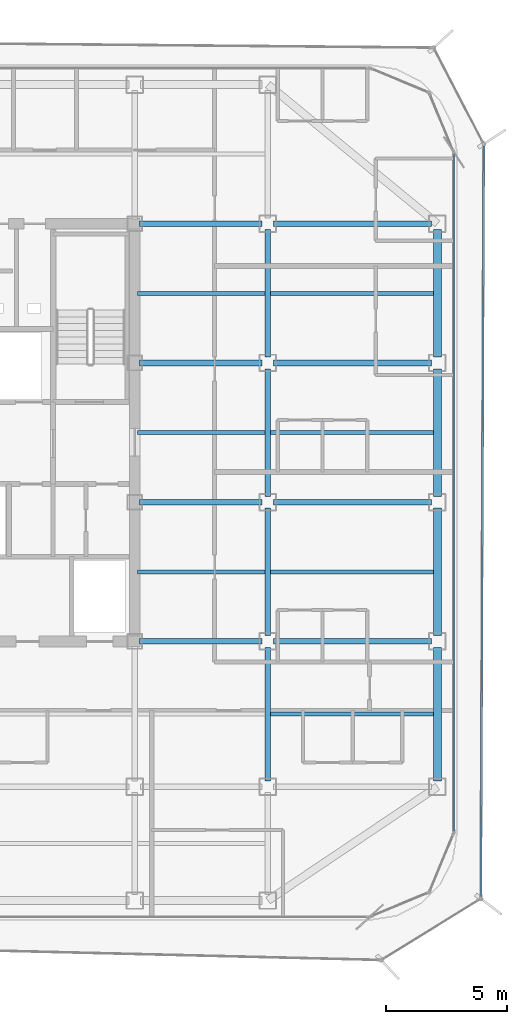
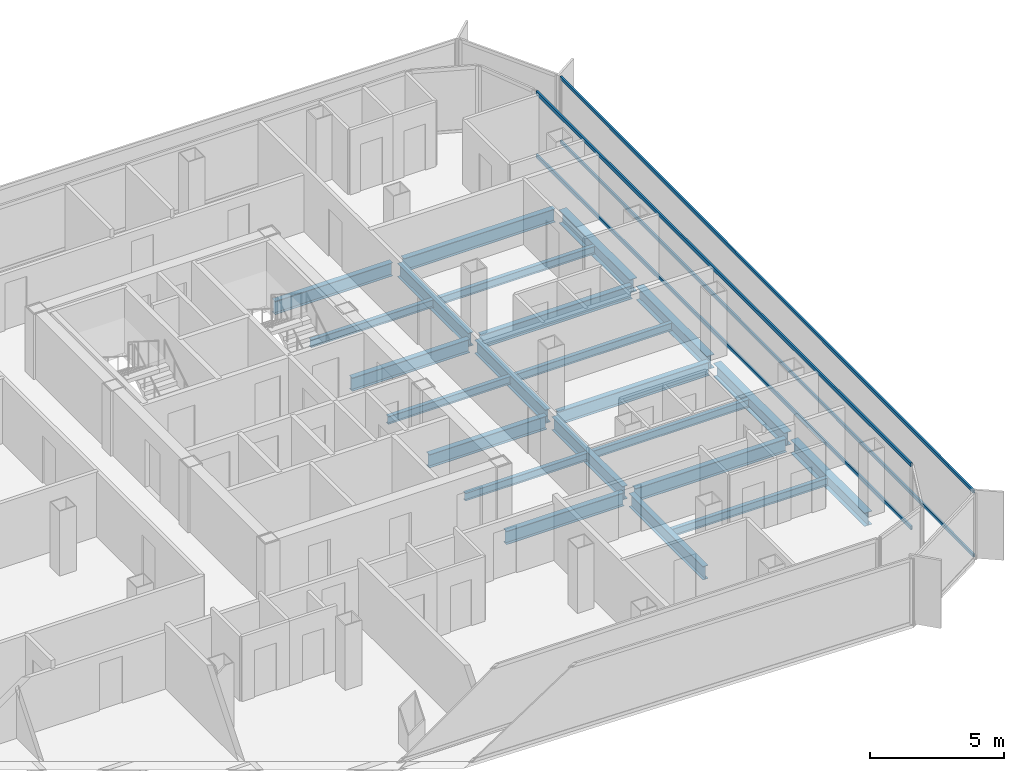
# One storey, part 5 of 15: 23 beams, 4 members, 2 elements without a shape of their own.
"""IFC4 building model written with IfcOpenShell, lengths in metres."""

from ifc_helpers import new_model, si_unit, direction, frame, origin, origin_2d, place, context, subcontext, project, spatial, hollow_rectangle, i_section, extrude, source, transform, mapped, material, layer, layer_set, material_profile, profile_set, type_object, element, aggregate, save


model = new_model("IFC4")

# Units and contexts
model_context = context("Model", 3, precision=1e-05, world=origin(), true_north=direction((0.0, 1.0)))
body_context = subcontext(model_context, "Body", "Model", "MODEL_VIEW")
ifc_project = project(units=[si_unit("LENGTHUNIT", "METRE"), si_unit("AREAUNIT", "SQUARE_METRE"), si_unit("VOLUMEUNIT", "CUBIC_METRE"), si_unit("PLANEANGLEUNIT", "RADIAN"), si_unit("MASSUNIT", "GRAM", prefix="KILO")], contexts=[model_context])

# Site, building, storey
site_placement = place(None, origin())
site = spatial("IfcSite", under=ifc_project, at=site_placement, CompositionType="ELEMENT")
building_placement = place(site_placement, origin())
building = spatial("IfcBuilding", under=site, at=building_placement, Name="Kolveth Station Tower", CompositionType="ELEMENT")
storey_placement = place(building_placement, frame((0.0, 0.0, 165.699951171875)))
storey = spatial("IfcBuildingStorey", under=building, at=storey_placement, Name="L46", CompositionType="ELEMENT", Elevation=165.699951171875)

# Beams
ifc_material_1 = material(Name="Steel S355", Category="steel")
ifc_material_profile_1 = material_profile(ifc_material_1, i_section(OverallWidth=0.323974609375, OverallDepth=0.611083984375, WebThickness=0.0126953125, FlangeThickness=0.01904296875, at=origin_2d()), Name="W610x155")
ifc_profile_set_1 = profile_set([ifc_material_profile_1], Name="Steel S355")
beam_type_1 = type_object("IfcBeamType", Name="Beam_SP2", PredefinedType="SPANDREL", material=ifc_profile_set_1)
shared_shape_1 = source(origin(), body_context, "Body", "SweptSolid", [
    extrude(i_section(OverallWidth=0.323974609375, OverallDepth=0.611083984375, WebThickness=0.0126953125, FlangeThickness=0.01904296875, at=origin_2d()), origin(), (0.0, 0.0, 1.0), 5.52001953125),
])
beam_1_placement = place(storey_placement, frame((41.0, 5.739990234375, -0.555419921875), z_axis=(0.0, 1.0, 0.0), x_axis=(-1.0, 0.0, 0.0)))
element("IfcBeam", 1, at=beam_1_placement, inside=storey, type_object=beam_type_1, Name="L46 Perimeter Spandrel BM-L46-PE-1", PredefinedType="SPANDREL", context=body_context, shape_type="MappedRepresentation", body=[
    mapped(shared_shape_1, transform((0.0, 0.0, 0.0), x_axis=(1.0, 0.0, 0.0), y_axis=(0.0, 1.0, 0.0), z_axis=(0.0, 0.0, 1.0), scale=1.0)),
])
shared_shape_2 = source(origin(), body_context, "Body", "SweptSolid", [
    extrude(i_section(OverallWidth=0.323974609375, OverallDepth=0.611083984375, WebThickness=0.0126953125, FlangeThickness=0.01904296875, at=origin_2d()), origin(), (0.0, 0.0, 1.0), 5.27001953125),
])
for number, where, z_axis, x_axis, name in (
    (2, (41.0, 11.739990234375, -0.555419921875), (0.0, 1.0, 0.0), (-1.0, 0.0, 0.0), "L46 Perimeter Spandrel BM-L46-PE-2"),
    (3, (41.0, 17.489990234375, -0.555419921875), (0.0, 1.0, 0.0), (-1.0, 0.0, 0.0), "L46 Perimeter Spandrel BM-L46-PE-3"),
    (4, (41.0, 23.239990234375, -0.555419921875), (0.0, 1.0, 0.0), (-1.0, 0.0, 0.0), "L46 Perimeter Spandrel BM-L46-PE-4"),
):
    element("IfcBeam", number, at=place(storey_placement, frame(where, z_axis=z_axis, x_axis=x_axis)), inside=storey, type_object=beam_type_1, Name=name, PredefinedType="SPANDREL", context=body_context, shape_type="MappedRepresentation", body=[
        mapped(shared_shape_2, transform((0.0, 0.0, 0.0), x_axis=(1.0, 0.0, 0.0), y_axis=(0.0, 1.0, 0.0), z_axis=(0.0, 0.0, 1.0), scale=1.0)),
    ])
ifc_material_profile_2 = material_profile(ifc_material_1, i_section(OverallWidth=0.22900390625, OverallDepth=0.612060546875, WebThickness=0.011962890625, FlangeThickness=0.01953125, at=origin_2d()), Name="W610x125")
ifc_profile_set_2 = profile_set([ifc_material_profile_2], Name="Steel S355")
beam_type_2 = type_object("IfcBeamType", Name="Beam_B5", PredefinedType="BEAM", material=ifc_profile_set_2)
shared_shape_3 = source(origin(), body_context, "Body", "SweptSolid", [
    extrude(i_section(OverallWidth=0.22900390625, OverallDepth=0.612060546875, WebThickness=0.011962890625, FlangeThickness=0.01953125, at=origin_2d()), origin(), (0.0, 0.0, 1.0), 6.52001953125),
])
for number, where, z_axis, x_axis, name in (
    (5, (34.239990234375, 11.5, -0.555908203125), (1.0, 0.0, 0.0), (0.0, 1.0, 0.0), "L46 Primary Girder BM-L46-GY115-6"),
    (6, (34.239990234375, 17.25, -0.555908203125), (1.0, 0.0, 0.0), (0.0, 1.0, 0.0), "L46 Primary Girder BM-L46-GY172-6"),
    (7, (34.239990234375, 23.0, -0.555908203125), (1.0, 0.0, 0.0), (0.0, 1.0, 0.0), "L46 Primary Girder BM-L46-GY230-6"),
    (8, (34.239990234375, 28.75, -0.555908203125), (1.0, 0.0, 0.0), (0.0, 1.0, 0.0), "L46 Primary Girder BM-L46-GY287-6"),
):
    element("IfcBeam", number, at=place(storey_placement, frame(where, z_axis=z_axis, x_axis=x_axis)), inside=storey, type_object=beam_type_2, Name=name, PredefinedType="BEAM", context=body_context, shape_type="MappedRepresentation", body=[
        mapped(shared_shape_3, transform((0.0, 0.0, 0.0), x_axis=(1.0, 0.0, 0.0), y_axis=(0.0, 1.0, 0.0), z_axis=(0.0, 0.0, 1.0), scale=1.0)),
    ])
shared_shape_4 = source(origin(), body_context, "Body", "SweptSolid", [
    extrude(i_section(OverallWidth=0.22900390625, OverallDepth=0.612060546875, WebThickness=0.011962890625, FlangeThickness=0.01953125, at=origin_2d()), origin(), (0.0, 0.0, 1.0), 5.06005859375),
])
for number, where, z_axis, x_axis, name in (
    (9, (28.699951171875, 11.5, -0.555908203125), (1.0, 0.0, 0.0), (0.0, 1.0, 0.0), "L46 Primary Girder BM-L46-GY115-5"),
    (10, (28.699951171875, 17.25, -0.555908203125), (1.0, 0.0, 0.0), (0.0, 1.0, 0.0), "L46 Primary Girder BM-L46-GY172-5"),
    (11, (28.699951171875, 23.0, -0.555908203125), (1.0, 0.0, 0.0), (0.0, 1.0, 0.0), "L46 Primary Girder BM-L46-GY230-5"),
    (12, (28.699951171875, 28.75, -0.555908203125), (1.0, 0.0, 0.0), (0.0, 1.0, 0.0), "L46 Primary Girder BM-L46-GY287-5"),
):
    element("IfcBeam", number, at=place(storey_placement, frame(where, z_axis=z_axis, x_axis=x_axis)), inside=storey, type_object=beam_type_2, Name=name, PredefinedType="BEAM", context=body_context, shape_type="MappedRepresentation", body=[
        mapped(shared_shape_4, transform((0.0, 0.0, 0.0), x_axis=(1.0, 0.0, 0.0), y_axis=(0.0, 1.0, 0.0), z_axis=(0.0, 0.0, 1.0), scale=1.0)),
    ])
shared_shape_5 = source(origin(), body_context, "Body", "SweptSolid", [
    extrude(i_section(OverallWidth=0.22900390625, OverallDepth=0.612060546875, WebThickness=0.011962890625, FlangeThickness=0.01953125, at=origin_2d()), origin(), (0.0, 0.0, 1.0), 5.52001953125),
])
beam_2_placement = place(storey_placement, frame((34.0, 5.739990234375, -0.555908203125), z_axis=(0.0, 1.0, 0.0), x_axis=(-1.0, 0.0, 0.0)))
element("IfcBeam", 13, at=beam_2_placement, inside=storey, type_object=beam_type_2, Name="L46 Primary Girder BM-L46-GX340-2", PredefinedType="BEAM", context=body_context, shape_type="MappedRepresentation", body=[
    mapped(shared_shape_5, transform((0.0, 0.0, 0.0), x_axis=(1.0, 0.0, 0.0), y_axis=(0.0, 1.0, 0.0), z_axis=(0.0, 0.0, 1.0), scale=1.0)),
])
shared_shape_6 = source(origin(), body_context, "Body", "SweptSolid", [
    extrude(i_section(OverallWidth=0.22900390625, OverallDepth=0.612060546875, WebThickness=0.011962890625, FlangeThickness=0.01953125, at=origin_2d()), origin(), (0.0, 0.0, 1.0), 5.27001953125),
])
for number, where, z_axis, x_axis, name in (
    (14, (34.0, 11.739990234375, -0.555908203125), (0.0, 1.0, 0.0), (-1.0, 0.0, 0.0), "L46 Primary Girder BM-L46-GX340-3"),
    (15, (34.0, 17.489990234375, -0.555908203125), (0.0, 1.0, 0.0), (-1.0, 0.0, 0.0), "L46 Primary Girder BM-L46-GX340-4"),
    (16, (34.0, 23.239990234375, -0.555908203125), (0.0, 1.0, 0.0), (-1.0, 0.0, 0.0), "L46 Primary Girder BM-L46-GX340-5"),
):
    element("IfcBeam", number, at=place(storey_placement, frame(where, z_axis=z_axis, x_axis=x_axis)), inside=storey, type_object=beam_type_2, Name=name, PredefinedType="BEAM", context=body_context, shape_type="MappedRepresentation", body=[
        mapped(shared_shape_6, transform((0.0, 0.0, 0.0), x_axis=(1.0, 0.0, 0.0), y_axis=(0.0, 1.0, 0.0), z_axis=(0.0, 0.0, 1.0), scale=1.0)),
    ])
ifc_material_profile_3 = material_profile(ifc_material_1, i_section(OverallWidth=0.1708984375, OverallDepth=0.35205078125, WebThickness=0.0068359375, FlangeThickness=0.009765625, at=origin_2d()), Name="W360x44")
ifc_profile_set_3 = profile_set([ifc_material_profile_3], Name="Steel S355")
beam_type_3 = type_object("IfcBeamType", Name="Beam_J2", PredefinedType="JOIST", material=ifc_profile_set_3)
shared_shape_7 = source(origin(), body_context, "Body", "SweptSolid", [
    extrude(i_section(OverallWidth=0.1708984375, OverallDepth=0.35205078125, WebThickness=0.0068359375, FlangeThickness=0.009765625, at=origin_2d()), origin(), (0.0, 0.0, 1.0), 5.27490234375),
])
for number, where, z_axis, x_axis, name in (
    (17, (28.612548828125, 14.375, -0.426025390625), (1.0, 0.0, 0.0), (0.0, 1.0, 0.0), "L46 Secondary Joist JST-L46-5-3"),
    (18, (28.612548828125, 20.125, -0.426025390625), (1.0, 0.0, 0.0), (0.0, 1.0, 0.0), "L46 Secondary Joist JST-L46-5-4"),
    (19, (28.612548828125, 25.875, -0.426025390625), (1.0, 0.0, 0.0), (0.0, 1.0, 0.0), "L46 Secondary Joist JST-L46-5-5"),
):
    element("IfcBeam", number, at=place(storey_placement, frame(where, z_axis=z_axis, x_axis=x_axis)), inside=storey, type_object=beam_type_3, Name=name, PredefinedType="JOIST", context=body_context, shape_type="MappedRepresentation", body=[
        mapped(shared_shape_7, transform((0.0, 0.0, 0.0), x_axis=(1.0, 0.0, 0.0), y_axis=(0.0, 1.0, 0.0), z_axis=(0.0, 0.0, 1.0), scale=1.0)),
    ])
shared_shape_8 = source(origin(), body_context, "Body", "SweptSolid", [
    extrude(i_section(OverallWidth=0.1708984375, OverallDepth=0.35205078125, WebThickness=0.0068359375, FlangeThickness=0.009765625, at=origin_2d()), origin(), (0.0, 0.0, 1.0), 6.7275390625),
])
for number, where, z_axis, x_axis, name in (
    (20, (34.112548828125, 8.5, -0.426025390625), (1.0, 0.0, 0.0), (0.0, 1.0, 0.0), "L46 Secondary Joist JST-L46-6-2"),
    (21, (34.112548828125, 14.375, -0.426025390625), (1.0, 0.0, 0.0), (0.0, 1.0, 0.0), "L46 Secondary Joist JST-L46-6-3"),
    (22, (34.112548828125, 20.125, -0.426025390625), (1.0, 0.0, 0.0), (0.0, 1.0, 0.0), "L46 Secondary Joist JST-L46-6-4"),
    (23, (34.112548828125, 25.875, -0.426025390625), (1.0, 0.0, 0.0), (0.0, 1.0, 0.0), "L46 Secondary Joist JST-L46-6-5"),
):
    element("IfcBeam", number, at=place(storey_placement, frame(where, z_axis=z_axis, x_axis=x_axis)), inside=storey, type_object=beam_type_3, Name=name, PredefinedType="JOIST", context=body_context, shape_type="MappedRepresentation", body=[
        mapped(shared_shape_8, transform((0.0, 0.0, 0.0), x_axis=(1.0, 0.0, 0.0), y_axis=(0.0, 1.0, 0.0), z_axis=(0.0, 0.0, 1.0), scale=1.0)),
    ])

# Curtain wall, members
ifc_material_2 = material(Name="Aluminium 6063-T6 and low-E dark glass", Category="aluminium")
ifc_layer_1 = layer(ifc_material_2, 0.18994140625)
ifc_layer_set_1 = layer_set([ifc_layer_1], Name="Aluminium 6063-T6 and low-E dark glass")
curtain_wall_type_1 = type_object("IfcCurtainWallType", Name="CurtainWall_CW-Z2", PredefinedType="NOTDEFINED", material=ifc_layer_set_1)
curtain_wall_1_placement = place(storey_placement, origin())
curtain_wall_1 = element("IfcCurtainWall", 24, at=curtain_wall_1_placement, inside=storey, type_object=curtain_wall_type_1, Name="L46 Inner Thermal Curtain Wall 3", PredefinedType="NOTDEFINED")
ifc_material_3 = material(Name="Black anodized aluminium 6063-T6", Category="aluminium")
ifc_material_profile_4 = material_profile(ifc_material_3, hollow_rectangle(XDim=0.080078125, YDim=0.169921875, WallThickness=0.0048828125, at=origin_2d()), Name="ALU-80x170x5")
ifc_profile_set_4 = profile_set([ifc_material_profile_4], Name="Black anodized aluminium 6063-T6")
member_type_1 = type_object("IfcMemberType", Name="Transom_TR2", PredefinedType="USERDEFINED", material=ifc_profile_set_4)
shared_shape_9 = source(origin(), body_context, "Body", "SweptSolid", [
    extrude(hollow_rectangle(XDim=0.080078125, YDim=0.169921875, WallThickness=0.0048828125, at=origin_2d()), origin(), (0.0, 0.0, 1.0), 27.940185546875),
])
member_1_placement = place(storey_placement, frame((41.679931640625, 3.679931640625, 0.0400390625), z_axis=(0.0, 1.0, 0.0), x_axis=(-1.0, 0.0, 0.0)))
member_1 = element("IfcMember", 25, at=member_1_placement, type_object=member_type_1, Name="CW-Z2 transom 1.1", ObjectType="TRANSOM", PredefinedType="USERDEFINED", context=body_context, shape_type="MappedRepresentation", body=[
    mapped(shared_shape_9, transform((0.0, 0.0, 0.0), x_axis=(1.0, 0.0, 0.0), y_axis=(0.0, 1.0, 0.0), z_axis=(0.0, 0.0, 1.0), scale=1.0)),
])
member_2_placement = place(storey_placement, frame((41.679931640625, 3.679931640625, 2.91015625), z_axis=(0.0, 1.0, 0.0), x_axis=(-1.0, 0.0, 0.0)))
member_2 = element("IfcMember", 26, at=member_2_placement, type_object=member_type_1, Name="CW-Z2 transom 1.2", ObjectType="TRANSOM", PredefinedType="USERDEFINED", context=body_context, shape_type="MappedRepresentation", body=[
    mapped(shared_shape_9, transform((0.0, 0.0, 0.0), x_axis=(1.0, 0.0, 0.0), y_axis=(0.0, 1.0, 0.0), z_axis=(0.0, 0.0, 1.0), scale=1.0)),
])
aggregate(curtain_wall_1, [member_1, member_2])

ifc_material_4 = material(Name="Black anodized aluminium 6063-T6 and dark solar glass", Category="aluminium")
ifc_layer_2 = layer(ifc_material_4, 0.159912109375)
ifc_layer_set_2 = layer_set([ifc_layer_2], Name="Black anodized aluminium 6063-T6 and dark solar glass")
curtain_wall_type_2 = type_object("IfcCurtainWallType", Name="OUTER SKIN CW-OS", PredefinedType="NOTDEFINED", material=ifc_layer_set_2)
curtain_wall_2_placement = place(storey_placement, origin())
curtain_wall_2 = element("IfcCurtainWall", 27, at=curtain_wall_2_placement, inside=storey, type_object=curtain_wall_type_2, Name="L46 Outer Ventilated Skin Curtain Wall 2", PredefinedType="NOTDEFINED")
ifc_material_profile_5 = material_profile(ifc_material_3, hollow_rectangle(XDim=0.080078125, YDim=0.14990234375, WallThickness=0.0048828125, at=origin_2d()), Name="ALU-80x150x5")
ifc_profile_set_5 = profile_set([ifc_material_profile_5], Name="Black anodized aluminium 6063-T6")
member_type_2 = type_object("IfcMemberType", Name="Transom_TR-OS", PredefinedType="USERDEFINED", material=ifc_profile_set_5)
shared_shape_10 = source(origin(), body_context, "Body", "SweptSolid", [
    extrude(hollow_rectangle(XDim=0.080078125, YDim=0.14990234375, WallThickness=0.0048828125, at=origin_2d()), origin(), (0.0, 0.0, 1.0), 30.98486328125),
])
member_3_placement = place(storey_placement, frame((42.796630859375, 0.968994140625, 0.0400390625), z_axis=(0.003845125341, 0.999992607478, 0.0), x_axis=(-0.999992607478, 0.003845125341, 0.0)))
member_3 = element("IfcMember", 28, at=member_3_placement, type_object=member_type_2, Name="CW-OS transom 1.1", ObjectType="TRANSOM", PredefinedType="USERDEFINED", context=body_context, shape_type="MappedRepresentation", body=[
    mapped(shared_shape_10, transform((0.0, 0.0, 0.0), x_axis=(1.0, 0.0, 0.0), y_axis=(0.0, 1.0, 0.0), z_axis=(0.0, 0.0, 1.0), scale=1.0)),
])
member_4_placement = place(storey_placement, frame((42.796630859375, 0.968994140625, 2.949951171875), z_axis=(0.003845125341, 0.999992607478, 0.0), x_axis=(-0.999992607478, 0.003845125341, 0.0)))
member_4 = element("IfcMember", 29, at=member_4_placement, type_object=member_type_2, Name="CW-OS transom 1.2", ObjectType="TRANSOM", PredefinedType="USERDEFINED", context=body_context, shape_type="MappedRepresentation", body=[
    mapped(shared_shape_10, transform((0.0, 0.0, 0.0), x_axis=(1.0, 0.0, 0.0), y_axis=(0.0, 1.0, 0.0), z_axis=(0.0, 0.0, 1.0), scale=1.0)),
])
aggregate(curtain_wall_2, [member_3, member_4])

save(model, "model.ifc")
